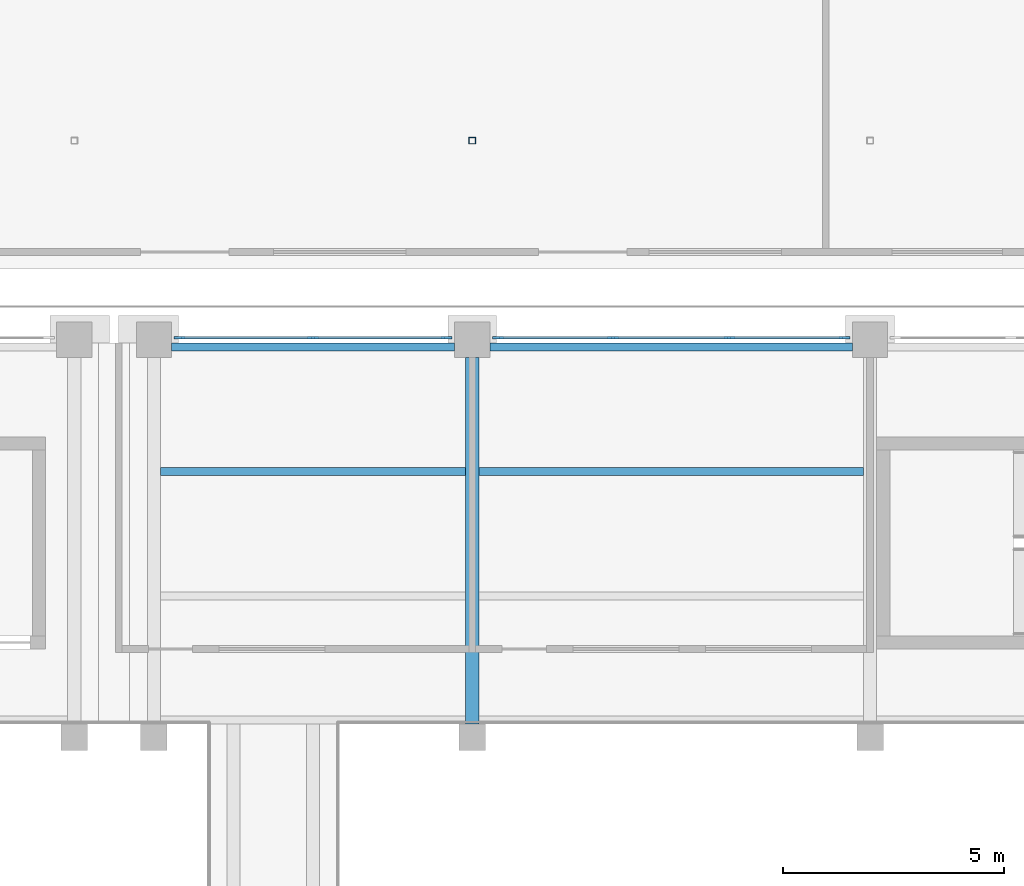
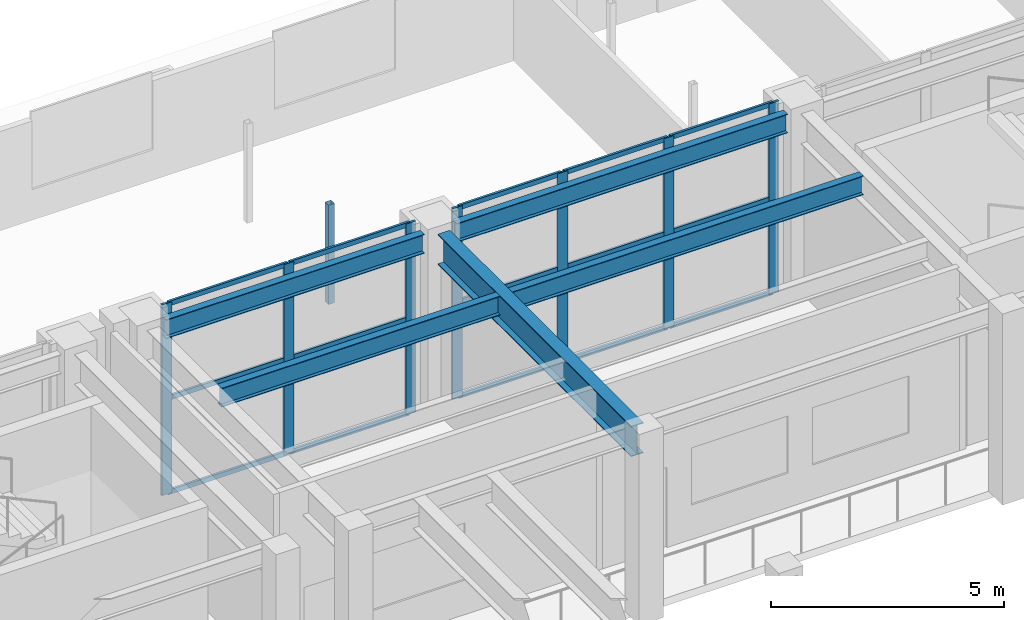
# One storey, part 19 of 67: 23 members, 5 beams, 2 elements without a shape of their own.
"""IFC4 building model written with IfcOpenShell, lengths in metres."""

from ifc_helpers import new_model, si_unit, direction, frame, origin, origin_2d, place, context, subcontext, project, spatial, rectangle, hollow_rectangle, i_section, extrude, material, material_profile, profile_set, type_object, element, aggregate, save


model = new_model("IFC4")

# Units and contexts
model_context = context("Model", 3, precision=1e-05, world=origin(), true_north=direction((0.0, 1.0)))
body_context = subcontext(model_context, "Body", "Model", "MODEL_VIEW")
ifc_project = project(units=[si_unit("LENGTHUNIT", "METRE"), si_unit("AREAUNIT", "SQUARE_METRE"), si_unit("VOLUMEUNIT", "CUBIC_METRE"), si_unit("PLANEANGLEUNIT", "RADIAN"), si_unit("MASSUNIT", "GRAM", prefix="KILO")], contexts=[model_context])

# Site, building, storey
site_placement = place(None, origin())
site = spatial("IfcSite", under=ifc_project, at=site_placement, CompositionType="ELEMENT")
building_placement = place(site_placement, origin())
building = spatial("IfcBuilding", under=site, at=building_placement, Name="Aravalli Gate Trade Fair Centre", CompositionType="ELEMENT")
storey_placement = place(building_placement, frame((0.0, 0.0, 5.0)))
storey = spatial("IfcBuildingStorey", under=building, at=storey_placement, Name="L01", CompositionType="ELEMENT", Elevation=5.0)

# Curtain wall, members
ifc_material_1 = material(Name="Aluminium and glass", Category="aluminium")
curtain_wall_type = type_object("IfcCurtainWallType", Name="Curtain wall 3000 module, tall", PredefinedType="NOTDEFINED", material=ifc_material_1)
curtain_wall_1_placement = place(storey_placement, origin())
curtain_wall_1 = element("IfcCurtainWall", 1, at=curtain_wall_1_placement, inside=storey, type_object=curtain_wall_type, Name="Curtain wall north bay 13 L01", PredefinedType="NOTDEFINED")
ifc_material_2 = material(Name="Aluminium", Category="aluminium")
ifc_material_profile_1 = material_profile(ifc_material_2, rectangle(XDim=0.06005859375, YDim=0.25, at=origin_2d()), Name="Concourse curtain wall mullion 60 x 250")
ifc_profile_set_1 = profile_set([ifc_material_profile_1], Name="Aluminium")
member_type_1 = type_object("IfcMemberType", Name="Concourse curtain wall mullion 60 x 250", PredefinedType="MULLION", material=ifc_profile_set_1)
member_1_placement = place(storey_placement, frame((107.3798828125, 133.044921875, 0.0), z_axis=(0.0, 0.0, 1.0), x_axis=(0.0, 1.0, 0.0)))
member_1 = element("IfcMember", 2, at=member_1_placement, type_object=member_type_1, Name="CW3 mullion 1", PredefinedType="MULLION", context=body_context, shape_type="SweptSolid", body=[
    extrude(rectangle(XDim=0.06005859375, YDim=0.25, at=origin_2d()), origin(), (0.0, 0.0, 1.0), 5.0),
])
member_2_placement = place(storey_placement, frame((110.39990234375, 133.044921875, 0.0), z_axis=(0.0, 0.0, 1.0), x_axis=(0.0, 1.0, 0.0)))
member_2 = element("IfcMember", 3, at=member_2_placement, type_object=member_type_1, Name="CW3 mullion 2", PredefinedType="MULLION", context=body_context, shape_type="SweptSolid", body=[
    extrude(rectangle(XDim=0.06005859375, YDim=0.25, at=origin_2d()), origin(), (0.0, 0.0, 1.0), 5.0),
])
member_3_placement = place(storey_placement, frame((113.419921875, 133.044921875, 0.0), z_axis=(0.0, 0.0, 1.0), x_axis=(0.0, 1.0, 0.0)))
member_3 = element("IfcMember", 4, at=member_3_placement, type_object=member_type_1, Name="CW3 mullion 3", PredefinedType="MULLION", context=body_context, shape_type="SweptSolid", body=[
    extrude(rectangle(XDim=0.06005859375, YDim=0.25, at=origin_2d()), origin(), (0.0, 0.0, 1.0), 5.0),
])

curtain_wall_2_placement = place(storey_placement, origin())
curtain_wall_2 = element("IfcCurtainWall", 5, at=curtain_wall_2_placement, inside=storey, type_object=curtain_wall_type, Name="Curtain wall north bay 14 L01", PredefinedType="NOTDEFINED")
member_4_placement = place(storey_placement, frame((114.580078125, 133.044921875, 0.0), z_axis=(0.0, 0.0, 1.0), x_axis=(0.0, 1.0, 0.0)))
member_4 = element("IfcMember", 6, at=member_4_placement, type_object=member_type_1, Name="CW3 mullion 1", PredefinedType="MULLION", context=body_context, shape_type="SweptSolid", body=[
    extrude(rectangle(XDim=0.06005859375, YDim=0.25, at=origin_2d()), origin(), (0.0, 0.0, 1.0), 5.0),
])
member_5_placement = place(storey_placement, frame((117.183349609375, 133.044921875, 0.0), z_axis=(0.0, 0.0, 1.0), x_axis=(0.0, 1.0, 0.0)))
member_5 = element("IfcMember", 7, at=member_5_placement, type_object=member_type_1, Name="CW3 mullion 2", PredefinedType="MULLION", context=body_context, shape_type="SweptSolid", body=[
    extrude(rectangle(XDim=0.06005859375, YDim=0.25, at=origin_2d()), origin(), (0.0, 0.0, 1.0), 5.0),
])
member_6_placement = place(storey_placement, frame((119.816650390625, 133.044921875, 0.0), z_axis=(0.0, 0.0, 1.0), x_axis=(0.0, 1.0, 0.0)))
member_6 = element("IfcMember", 8, at=member_6_placement, type_object=member_type_1, Name="CW3 mullion 3", PredefinedType="MULLION", context=body_context, shape_type="SweptSolid", body=[
    extrude(rectangle(XDim=0.06005859375, YDim=0.25, at=origin_2d()), origin(), (0.0, 0.0, 1.0), 5.0),
])
member_7_placement = place(storey_placement, frame((122.419921875, 133.044921875, 0.0), z_axis=(0.0, 0.0, 1.0), x_axis=(0.0, 1.0, 0.0)))
member_7 = element("IfcMember", 9, at=member_7_placement, type_object=member_type_1, Name="CW3 mullion 4", PredefinedType="MULLION", context=body_context, shape_type="SweptSolid", body=[
    extrude(rectangle(XDim=0.06005859375, YDim=0.25, at=origin_2d()), origin(), (0.0, 0.0, 1.0), 5.0),
])

# Member
ifc_material_profile_2 = material_profile(ifc_material_2, rectangle(XDim=0.06005859375, YDim=0.1201171875, at=origin_2d()), Name="Concourse curtain wall transom 60 x 120")
ifc_profile_set_2 = profile_set([ifc_material_profile_2], Name="Aluminium")
member_type_2 = type_object("IfcMemberType", Name="Concourse curtain wall transom 60 x 120", PredefinedType="USERDEFINED", material=ifc_profile_set_2)
member_8_placement = place(storey_placement, frame((107.409912109375, 133.044921875, 0.030029296875), z_axis=(1.0, 0.0, 0.0), x_axis=(0.0, 1.0, 0.0)))
member_8 = element("IfcMember", 10, at=member_8_placement, type_object=member_type_2, Name="CW3 transom 1.1", ObjectType="TRANSOM", PredefinedType="USERDEFINED", context=body_context, shape_type="SweptSolid", body=[
    extrude(rectangle(XDim=0.06005859375, YDim=0.1201171875, at=origin_2d()), origin(), (0.0, 0.0, 1.0), 2.960205078125),
])

member_9_placement = place(storey_placement, frame((107.409912109375, 133.044921875, 2.5), z_axis=(1.0, 0.0, 0.0), x_axis=(0.0, 1.0, 0.0)))
member_9 = element("IfcMember", 11, at=member_9_placement, type_object=member_type_2, Name="CW3 transom 1.2", ObjectType="TRANSOM", PredefinedType="USERDEFINED", context=body_context, shape_type="SweptSolid", body=[
    extrude(rectangle(XDim=0.06005859375, YDim=0.1201171875, at=origin_2d()), origin(), (0.0, 0.0, 1.0), 2.960205078125),
])

member_10_placement = place(storey_placement, frame((107.409912109375, 133.044921875, 4.969970703125), z_axis=(1.0, 0.0, 0.0), x_axis=(0.0, 1.0, 0.0)))
member_10 = element("IfcMember", 12, at=member_10_placement, type_object=member_type_2, Name="CW3 transom 1.3", ObjectType="TRANSOM", PredefinedType="USERDEFINED", context=body_context, shape_type="SweptSolid", body=[
    extrude(rectangle(XDim=0.06005859375, YDim=0.1201171875, at=origin_2d()), origin(), (0.0, 0.0, 1.0), 2.960205078125),
])

member_11_placement = place(storey_placement, frame((110.429931640625, 133.044921875, 0.030029296875), z_axis=(1.0, 0.0, 0.0), x_axis=(0.0, 1.0, 0.0)))
member_11 = element("IfcMember", 13, at=member_11_placement, type_object=member_type_2, Name="CW3 transom 2.1", ObjectType="TRANSOM", PredefinedType="USERDEFINED", context=body_context, shape_type="SweptSolid", body=[
    extrude(rectangle(XDim=0.06005859375, YDim=0.1201171875, at=origin_2d()), origin(), (0.0, 0.0, 1.0), 2.9599609375),
])

member_12_placement = place(storey_placement, frame((110.429931640625, 133.044921875, 2.5), z_axis=(1.0, 0.0, 0.0), x_axis=(0.0, 1.0, 0.0)))
member_12 = element("IfcMember", 14, at=member_12_placement, type_object=member_type_2, Name="CW3 transom 2.2", ObjectType="TRANSOM", PredefinedType="USERDEFINED", context=body_context, shape_type="SweptSolid", body=[
    extrude(rectangle(XDim=0.06005859375, YDim=0.1201171875, at=origin_2d()), origin(), (0.0, 0.0, 1.0), 2.9599609375),
])

member_13_placement = place(storey_placement, frame((110.429931640625, 133.044921875, 4.969970703125), z_axis=(1.0, 0.0, 0.0), x_axis=(0.0, 1.0, 0.0)))
member_13 = element("IfcMember", 15, at=member_13_placement, type_object=member_type_2, Name="CW3 transom 2.3", ObjectType="TRANSOM", PredefinedType="USERDEFINED", context=body_context, shape_type="SweptSolid", body=[
    extrude(rectangle(XDim=0.06005859375, YDim=0.1201171875, at=origin_2d()), origin(), (0.0, 0.0, 1.0), 2.9599609375),
])

aggregate(curtain_wall_1, [member_1, member_2, member_3, member_8, member_9, member_10, member_11, member_12, member_13])

member_14_placement = place(storey_placement, frame((114.610107421875, 133.044921875, 0.030029296875), z_axis=(1.0, 0.0, 0.0), x_axis=(0.0, 1.0, 0.0)))
member_14 = element("IfcMember", 16, at=member_14_placement, type_object=member_type_2, Name="CW3 transom 1.1", ObjectType="TRANSOM", PredefinedType="USERDEFINED", context=body_context, shape_type="SweptSolid", body=[
    extrude(rectangle(XDim=0.06005859375, YDim=0.1201171875, at=origin_2d()), origin(), (0.0, 0.0, 1.0), 2.543212890625),
])

member_15_placement = place(storey_placement, frame((114.610107421875, 133.044921875, 2.5), z_axis=(1.0, 0.0, 0.0), x_axis=(0.0, 1.0, 0.0)))
member_15 = element("IfcMember", 17, at=member_15_placement, type_object=member_type_2, Name="CW3 transom 1.2", ObjectType="TRANSOM", PredefinedType="USERDEFINED", context=body_context, shape_type="SweptSolid", body=[
    extrude(rectangle(XDim=0.06005859375, YDim=0.1201171875, at=origin_2d()), origin(), (0.0, 0.0, 1.0), 2.543212890625),
])

member_16_placement = place(storey_placement, frame((114.610107421875, 133.044921875, 4.969970703125), z_axis=(1.0, 0.0, 0.0), x_axis=(0.0, 1.0, 0.0)))
member_16 = element("IfcMember", 18, at=member_16_placement, type_object=member_type_2, Name="CW3 transom 1.3", ObjectType="TRANSOM", PredefinedType="USERDEFINED", context=body_context, shape_type="SweptSolid", body=[
    extrude(rectangle(XDim=0.06005859375, YDim=0.1201171875, at=origin_2d()), origin(), (0.0, 0.0, 1.0), 2.543212890625),
])

member_17_placement = place(storey_placement, frame((117.21337890625, 133.044921875, 0.030029296875), z_axis=(1.0, 0.0, 0.0), x_axis=(0.0, 1.0, 0.0)))
member_17 = element("IfcMember", 19, at=member_17_placement, type_object=member_type_2, Name="CW3 transom 2.1", ObjectType="TRANSOM", PredefinedType="USERDEFINED", context=body_context, shape_type="SweptSolid", body=[
    extrude(rectangle(XDim=0.06005859375, YDim=0.1201171875, at=origin_2d()), origin(), (0.0, 0.0, 1.0), 2.5732421875),
])

member_18_placement = place(storey_placement, frame((117.21337890625, 133.044921875, 2.5), z_axis=(1.0, 0.0, 0.0), x_axis=(0.0, 1.0, 0.0)))
member_18 = element("IfcMember", 20, at=member_18_placement, type_object=member_type_2, Name="CW3 transom 2.2", ObjectType="TRANSOM", PredefinedType="USERDEFINED", context=body_context, shape_type="SweptSolid", body=[
    extrude(rectangle(XDim=0.06005859375, YDim=0.1201171875, at=origin_2d()), origin(), (0.0, 0.0, 1.0), 2.5732421875),
])

member_19_placement = place(storey_placement, frame((117.21337890625, 133.044921875, 4.969970703125), z_axis=(1.0, 0.0, 0.0), x_axis=(0.0, 1.0, 0.0)))
member_19 = element("IfcMember", 21, at=member_19_placement, type_object=member_type_2, Name="CW3 transom 2.3", ObjectType="TRANSOM", PredefinedType="USERDEFINED", context=body_context, shape_type="SweptSolid", body=[
    extrude(rectangle(XDim=0.06005859375, YDim=0.1201171875, at=origin_2d()), origin(), (0.0, 0.0, 1.0), 2.5732421875),
])

member_20_placement = place(storey_placement, frame((119.8466796875, 133.044921875, 0.030029296875), z_axis=(1.0, 0.0, 0.0), x_axis=(0.0, 1.0, 0.0)))
member_20 = element("IfcMember", 22, at=member_20_placement, type_object=member_type_2, Name="CW3 transom 3.1", ObjectType="TRANSOM", PredefinedType="USERDEFINED", context=body_context, shape_type="SweptSolid", body=[
    extrude(rectangle(XDim=0.06005859375, YDim=0.1201171875, at=origin_2d()), origin(), (0.0, 0.0, 1.0), 2.543212890625),
])

member_21_placement = place(storey_placement, frame((119.8466796875, 133.044921875, 2.5), z_axis=(1.0, 0.0, 0.0), x_axis=(0.0, 1.0, 0.0)))
member_21 = element("IfcMember", 23, at=member_21_placement, type_object=member_type_2, Name="CW3 transom 3.2", ObjectType="TRANSOM", PredefinedType="USERDEFINED", context=body_context, shape_type="SweptSolid", body=[
    extrude(rectangle(XDim=0.06005859375, YDim=0.1201171875, at=origin_2d()), origin(), (0.0, 0.0, 1.0), 2.543212890625),
])

member_22_placement = place(storey_placement, frame((119.8466796875, 133.044921875, 4.969970703125), z_axis=(1.0, 0.0, 0.0), x_axis=(0.0, 1.0, 0.0)))
member_22 = element("IfcMember", 24, at=member_22_placement, type_object=member_type_2, Name="CW3 transom 3.3", ObjectType="TRANSOM", PredefinedType="USERDEFINED", context=body_context, shape_type="SweptSolid", body=[
    extrude(rectangle(XDim=0.06005859375, YDim=0.1201171875, at=origin_2d()), origin(), (0.0, 0.0, 1.0), 2.543212890625),
])

aggregate(curtain_wall_2, [member_4, member_5, member_6, member_7, member_14, member_15, member_16, member_17, member_18, member_19, member_20, member_21, member_22])

# Beams
ifc_material_3 = material(Name="Steel E350", Category="steel")
ifc_material_profile_3 = material_profile(ifc_material_3, i_section(OverallWidth=0.179931640625, OverallDepth=0.5, WebThickness=0.01025390625, FlangeThickness=0.01708984375, at=origin_2d()), Name="ISMB 500")
ifc_profile_set_3 = profile_set([ifc_material_profile_3], Name="Steel E350")
beam_type_1 = type_object("IfcBeamType", Name="ISMB 500 gallery secondary beam", PredefinedType="JOIST", material=ifc_profile_set_3)
beam_1_placement = place(storey_placement, frame((106.949951171875, 130.0166015625, 4.550048828125), z_axis=(1.0, 0.0, 0.0), x_axis=(0.0, 1.0, 0.0)))
element("IfcBeam", 25, at=beam_1_placement, inside=storey, type_object=beam_type_1, Name="Gallery beam N4 12A-13 L02", PredefinedType="JOIST", context=body_context, shape_type="SweptSolid", body=[
    extrude(i_section(OverallWidth=0.179931640625, OverallDepth=0.5, WebThickness=0.01025390625, FlangeThickness=0.01708984375, at=origin_2d()), origin(), (0.0, 0.0, 1.0), 6.900146484375),
])
beam_2_placement = place(storey_placement, frame((107.199951171875, 132.830078125, 4.550048828125), z_axis=(1.0, 0.0, 0.0), x_axis=(0.0, 1.0, 0.0)))
element("IfcBeam", 26, at=beam_2_placement, inside=storey, type_object=beam_type_1, Name="Gallery beam N5 12A-13 L02", PredefinedType="JOIST", context=body_context, shape_type="SweptSolid", body=[
    extrude(i_section(OverallWidth=0.179931640625, OverallDepth=0.5, WebThickness=0.01025390625, FlangeThickness=0.01708984375, at=origin_2d()), origin(), (0.0, 0.0, 1.0), 6.400146484375),
])
beam_3_placement = place(storey_placement, frame((114.14990234375, 130.0166015625, 4.550048828125), z_axis=(1.0, 0.0, 0.0), x_axis=(0.0, 1.0, 0.0)))
element("IfcBeam", 27, at=beam_3_placement, inside=storey, type_object=beam_type_1, Name="Gallery beam N4 13-14 L02", PredefinedType="JOIST", context=body_context, shape_type="SweptSolid", body=[
    extrude(i_section(OverallWidth=0.179931640625, OverallDepth=0.5, WebThickness=0.01025390625, FlangeThickness=0.01708984375, at=origin_2d()), origin(), (0.0, 0.0, 1.0), 8.7001953125),
])
beam_4_placement = place(storey_placement, frame((114.39990234375, 132.830078125, 4.550048828125), z_axis=(1.0, 0.0, 0.0), x_axis=(0.0, 1.0, 0.0)))
element("IfcBeam", 28, at=beam_4_placement, inside=storey, type_object=beam_type_1, Name="Gallery beam N5 13-14 L02", PredefinedType="JOIST", context=body_context, shape_type="SweptSolid", body=[
    extrude(i_section(OverallWidth=0.179931640625, OverallDepth=0.5, WebThickness=0.01025390625, FlangeThickness=0.01708984375, at=origin_2d()), origin(), (0.0, 0.0, 1.0), 8.2001953125),
])
ifc_material_profile_4 = material_profile(ifc_material_3, i_section(OverallWidth=0.300048828125, OverallDepth=0.800048828125, WebThickness=0.011962890625, FlangeThickness=0.02490234375, at=origin_2d()), Name="PG 800x300x12x25")
ifc_profile_set_4 = profile_set([ifc_material_profile_4], Name="Steel E350")
beam_type_2 = type_object("IfcBeamType", Name="PG 800x300x12x25 gallery plate girder", PredefinedType="BEAM", material=ifc_profile_set_4)
beam_5_placement = place(storey_placement, frame((114.0, 124.300048828125, 4.39990234375), z_axis=(0.0, 1.0, 0.0), x_axis=(-1.0, 0.0, 0.0)))
element("IfcBeam", 29, at=beam_5_placement, inside=storey, type_object=beam_type_2, Name="Gallery girder N13 L02", PredefinedType="BEAM", context=body_context, shape_type="SweptSolid", body=[
    extrude(i_section(OverallWidth=0.300048828125, OverallDepth=0.800048828125, WebThickness=0.011962890625, FlangeThickness=0.02490234375, at=origin_2d()), origin(), (0.0, 0.0, 1.0), 8.300048828125),
])

# Member
ifc_material_profile_5 = material_profile(ifc_material_3, hollow_rectangle(XDim=0.14990234375, YDim=0.14990234375, WallThickness=0.006103515625, at=origin_2d()), Name="SHS 150x150x6")
ifc_profile_set_5 = profile_set([ifc_material_profile_5], Name="Steel E350")
member_type_3 = type_object("IfcMemberType", Name="SHS 150x150x6 terrace pavilion post", PredefinedType="POST", material=ifc_profile_set_5)
member_23_placement = place(storey_placement, frame((114.0, 137.5, 0.0), z_axis=(0.0, 0.0, 1.0), x_axis=(1.0, 0.0, 0.0)))
element("IfcMember", 30, at=member_23_placement, inside=storey, type_object=member_type_3, Name="Terrace pavilion post 114.1", PredefinedType="POST", context=body_context, shape_type="SweptSolid", body=[
    extrude(hollow_rectangle(XDim=0.14990234375, YDim=0.14990234375, WallThickness=0.006103515625, at=origin_2d()), origin(), (0.0, 0.0, 1.0), 2.60009765625),
])

save(model, "model.ifc")
